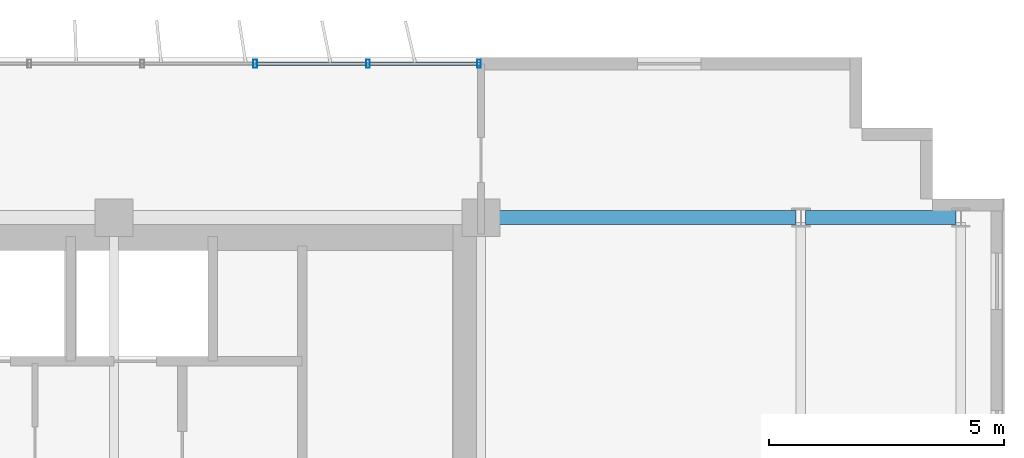
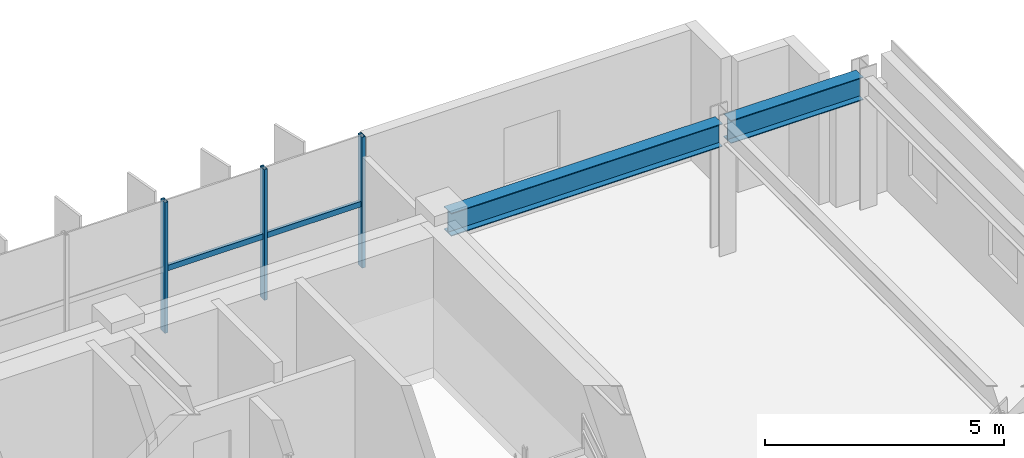
# One storey, part 11 of 22: 5 members, 2 beams, 1 element without a shape of its own.
"""IFC4 building model written with IfcOpenShell, lengths in metres."""

from ifc_helpers import new_model, si_unit, direction, frame, origin, origin_2d, place, context, subcontext, project, spatial, hollow_rectangle, i_section, extrude, source, transform, mapped, material, material_profile, profile_set, type_object, element, aggregate, save


model = new_model("IFC4")

# Units and contexts
model_context = context("Model", 3, precision=1e-05, world=origin(), true_north=direction((0.0, 1.0)))
body_context = subcontext(model_context, "Body", "Model", "MODEL_VIEW")
ifc_project = project(units=[si_unit("LENGTHUNIT", "METRE"), si_unit("AREAUNIT", "SQUARE_METRE"), si_unit("VOLUMEUNIT", "CUBIC_METRE"), si_unit("PLANEANGLEUNIT", "RADIAN"), si_unit("MASSUNIT", "GRAM", prefix="KILO")], contexts=[model_context])

# Site, building, storey
site_placement = place(None, origin())
site = spatial("IfcSite", under=ifc_project, at=site_placement, CompositionType="ELEMENT")
building_placement = place(site_placement, origin())
building = spatial("IfcBuilding", under=site, at=building_placement, Name="Trelvane Seafront Commons", CompositionType="ELEMENT")
storey_placement = place(building_placement, frame((0.0, 0.0, 99.699951171875)))
storey = spatial("IfcBuildingStorey", under=building, at=storey_placement, Name="L25", CompositionType="ELEMENT", Elevation=99.699951171875)

# Beams
ifc_material_1 = material(Name="Steel SM355 (S355)", Category="steel")
ifc_material_profile_1 = material_profile(ifc_material_1, i_section(OverallWidth=0.300048828125, OverallDepth=0.587890625, WebThickness=0.011962890625, FlangeThickness=0.02001953125, at=origin_2d()), Name="H-588x300x12x20")
ifc_profile_set_1 = profile_set([ifc_material_profile_1], Name="Steel SM355 (S355)")
beam_type = type_object("IfcBeamType", Name="STR-BM-H588", PredefinedType="BEAM", material=ifc_profile_set_1)
shared_shape_1 = source(origin(), body_context, "Body", "SweptSolid", [
    extrude(i_section(OverallWidth=0.300048828125, OverallDepth=0.587890625, WebThickness=0.011962890625, FlangeThickness=0.02001953125, at=origin_2d()), origin(), (0.0, 0.0, 1.0), 3.199951171875),
])
beam_1_placement = place(storey_placement, frame((65.699951171875, 45.10009765625, 3.046142578125), z_axis=(1.0, 0.0, 0.0), x_axis=(0.0, 1.0, 0.0)))
element("IfcBeam", 1, at=beam_1_placement, inside=storey, type_object=beam_type, Name="L25 Primary Girder G-36", PredefinedType="BEAM", context=body_context, shape_type="MappedRepresentation", body=[
    mapped(shared_shape_1, transform((0.0, 0.0, 0.0), x_axis=(1.0, 0.0, 0.0), y_axis=(0.0, 1.0, 0.0), z_axis=(0.0, 0.0, 1.0), scale=1.0)),
])
shared_shape_2 = source(origin(), body_context, "Body", "SweptSolid", [
    extrude(i_section(OverallWidth=0.300048828125, OverallDepth=0.587890625, WebThickness=0.011962890625, FlangeThickness=0.02001953125, at=origin_2d()), origin(), (0.0, 0.0, 1.0), 6.550048828125),
])
beam_2_placement = place(storey_placement, frame((58.949951171875, 45.10009765625, 3.046142578125), z_axis=(1.0, 0.0, 0.0), x_axis=(0.0, 1.0, 0.0)))
element("IfcBeam", 2, at=beam_2_placement, inside=storey, type_object=beam_type, Name="L25 Primary Girder G-35", PredefinedType="BEAM", context=body_context, shape_type="MappedRepresentation", body=[
    mapped(shared_shape_2, transform((0.0, 0.0, 0.0), x_axis=(1.0, 0.0, 0.0), y_axis=(0.0, 1.0, 0.0), z_axis=(0.0, 0.0, 1.0), scale=1.0)),
])

# Curtain wall, members
ifc_material_2 = material(Name="Anodised pale-silver aluminium", Category="aluminium")
curtain_wall_type = type_object("IfcCurtainWallType", Name="ARCH-CW4-SKYLOBBY", PredefinedType="NOTDEFINED", material=ifc_material_2)
curtain_wall_placement = place(storey_placement, origin())
curtain_wall = element("IfcCurtainWall", 3, at=curtain_wall_placement, inside=storey, type_object=curtain_wall_type, Name="CW-L25-0050", PredefinedType="NOTDEFINED")
ifc_material_profile_2 = material_profile(ifc_material_2, hollow_rectangle(XDim=0.074951171875, YDim=0.139892578125, WallThickness=0.00390625, at=origin_2d()), Name="TRAN-75x140x4")
ifc_profile_set_2 = profile_set([ifc_material_profile_2], Name="Anodised pale-silver aluminium")
member_type_1 = type_object("IfcMemberType", Name="ARCH-CW-TRAN-140", PredefinedType="USERDEFINED", material=ifc_profile_set_2)
shared_shape_3 = source(origin(), body_context, "Body", "SweptSolid", [
    extrude(hollow_rectangle(XDim=0.074951171875, YDim=0.139892578125, WallThickness=0.00390625, at=origin_2d()), origin(), (0.0, 0.0, 1.0), 2.3759765625),
])
member_1_placement = place(storey_placement, frame((54.011962890625, 48.3701171875, 1.60302734375), z_axis=(1.0, 0.0, 0.0), x_axis=(0.0, 1.0, 0.0)))
member_1 = element("IfcMember", 4, at=member_1_placement, type_object=member_type_1, Name="CW-L25-0050-T16", ObjectType="TRANSOM", PredefinedType="USERDEFINED", context=body_context, shape_type="MappedRepresentation", body=[
    mapped(shared_shape_3, transform((0.0, 0.0, 0.0), x_axis=(1.0, 0.0, 0.0), y_axis=(0.0, 1.0, 0.0), z_axis=(0.0, 0.0, 1.0), scale=1.0)),
])
member_2_placement = place(storey_placement, frame((56.412109375, 48.3701171875, 1.60302734375), z_axis=(1.0, 0.0, 0.0), x_axis=(0.0, 1.0, 0.0)))
member_2 = element("IfcMember", 5, at=member_2_placement, type_object=member_type_1, Name="CW-L25-0050-T17", ObjectType="TRANSOM", PredefinedType="USERDEFINED", context=body_context, shape_type="MappedRepresentation", body=[
    mapped(shared_shape_3, transform((0.0, 0.0, 0.0), x_axis=(1.0, 0.0, 0.0), y_axis=(0.0, 1.0, 0.0), z_axis=(0.0, 0.0, 1.0), scale=1.0)),
])
ifc_material_profile_3 = material_profile(ifc_material_2, hollow_rectangle(XDim=0.080078125, YDim=0.179931640625, WallThickness=0.00439453125, at=origin_2d()), Name="MULL-80x180x4.5")
ifc_profile_set_3 = profile_set([ifc_material_profile_3], Name="Anodised pale-silver aluminium")
member_type_2 = type_object("IfcMemberType", Name="ARCH-CW-MULL-180", PredefinedType="MULLION", material=ifc_profile_set_3)
shared_shape_4 = source(origin(), body_context, "Body", "SweptSolid", [
    extrude(hollow_rectangle(XDim=0.080078125, YDim=0.179931640625, WallThickness=0.00439453125, at=origin_2d()), origin(), (0.0, 0.0, 1.0), 3.340087890625),
])
member_3_placement = place(storey_placement, frame((54.0, 48.3701171875, 0.0), z_axis=(0.0, 0.0, 1.0), x_axis=(1.0, 0.0, 0.0)))
member_3 = element("IfcMember", 6, at=member_3_placement, type_object=member_type_2, Name="CW-L25-0050-M16", PredefinedType="MULLION", context=body_context, shape_type="MappedRepresentation", body=[
    mapped(shared_shape_4, transform((0.0, 0.0, 0.0), x_axis=(1.0, 0.0, 0.0), y_axis=(0.0, 1.0, 0.0), z_axis=(0.0, 0.0, 1.0), scale=1.0)),
])
member_4_placement = place(storey_placement, frame((56.39990234375, 48.3701171875, 0.0), z_axis=(0.0, 0.0, 1.0), x_axis=(1.0, 0.0, 0.0)))
member_4 = element("IfcMember", 7, at=member_4_placement, type_object=member_type_2, Name="CW-L25-0050-M17", PredefinedType="MULLION", context=body_context, shape_type="MappedRepresentation", body=[
    mapped(shared_shape_4, transform((0.0, 0.0, 0.0), x_axis=(1.0, 0.0, 0.0), y_axis=(0.0, 1.0, 0.0), z_axis=(0.0, 0.0, 1.0), scale=1.0)),
])
member_5_placement = place(storey_placement, frame((58.760009765625, 48.3701171875, 0.0), z_axis=(0.0, 0.0, 1.0), x_axis=(1.0, 0.0, 0.0)))
member_5 = element("IfcMember", 8, at=member_5_placement, type_object=member_type_2, Name="CW-L25-0050-M18", PredefinedType="MULLION", context=body_context, shape_type="MappedRepresentation", body=[
    mapped(shared_shape_4, transform((0.0, 0.0, 0.0), x_axis=(1.0, 0.0, 0.0), y_axis=(0.0, 1.0, 0.0), z_axis=(0.0, 0.0, 1.0), scale=1.0)),
])
aggregate(curtain_wall, [member_3, member_4, member_5, member_1, member_2])

save(model, "model.ifc")
